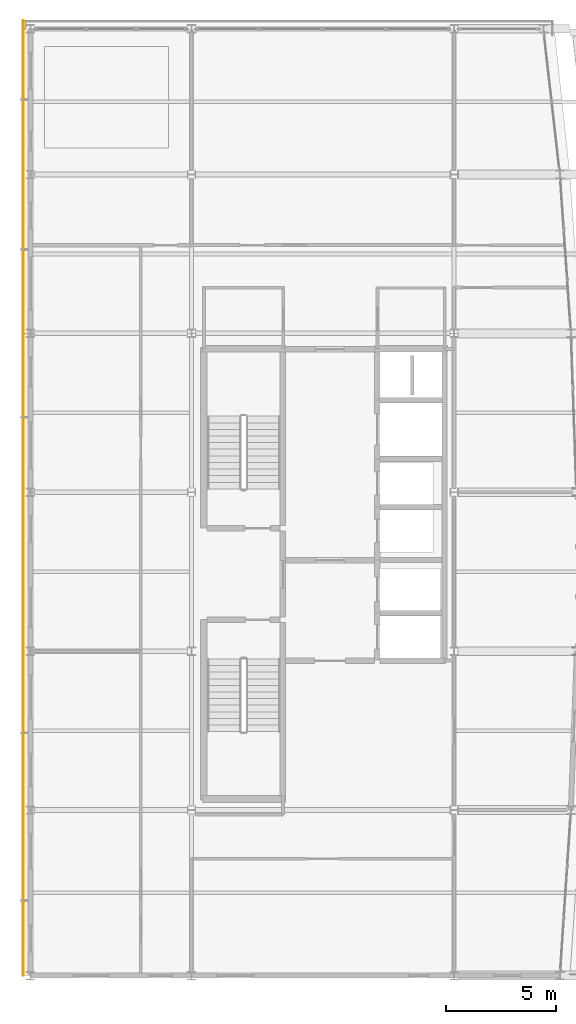
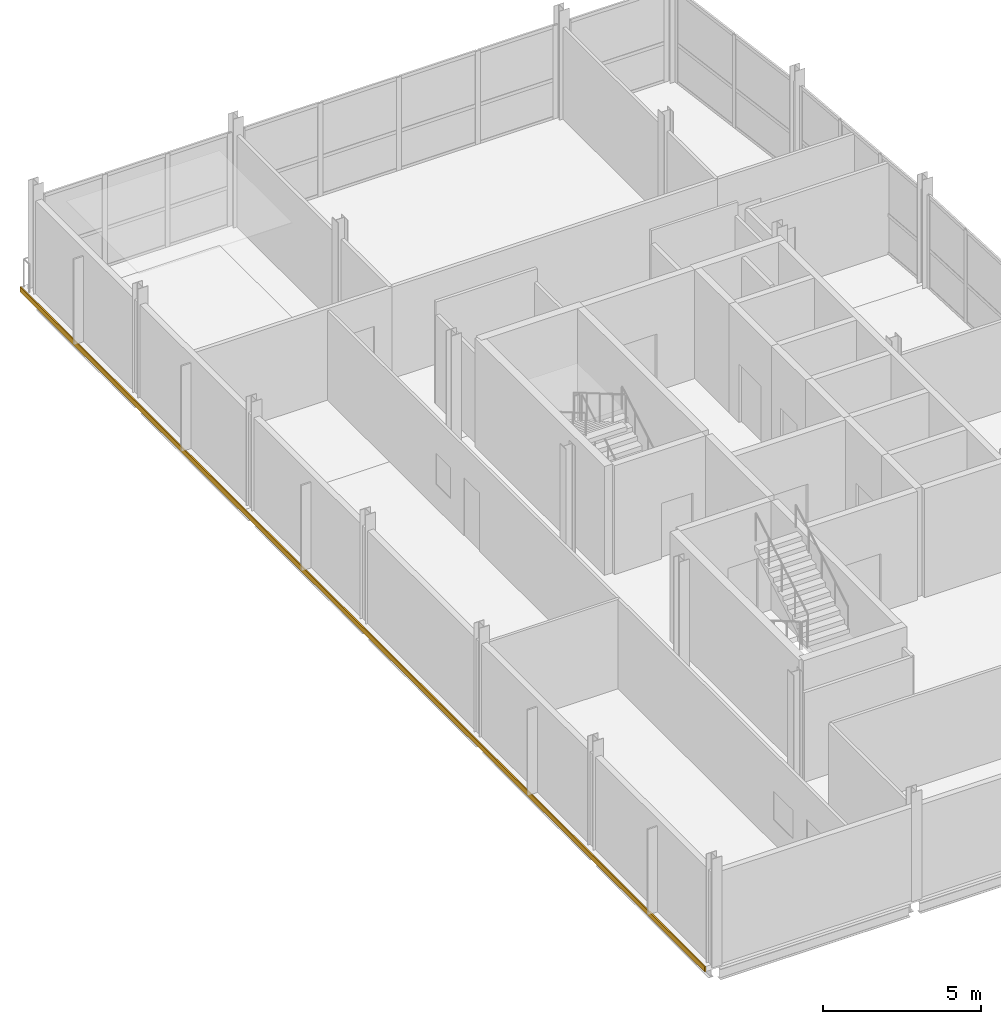
# One storey, part 16 of 17: 1 covering.
"""IFC4 building model written with IfcOpenShell, lengths in metres."""

from ifc_helpers import new_model, si_unit, direction, frame, origin, place, context, subcontext, project, spatial, polyline, outline, extrude, material, layer, layer_set, type_object, element, save


model = new_model("IFC4")

# Units and contexts
model_context = context("Model", 3, precision=1e-05, world=origin(), true_north=direction((0.0, 1.0)))
body_context = subcontext(model_context, "Body", "Model", "MODEL_VIEW")
ifc_project = project(units=[si_unit("LENGTHUNIT", "METRE"), si_unit("AREAUNIT", "SQUARE_METRE"), si_unit("VOLUMEUNIT", "CUBIC_METRE"), si_unit("PLANEANGLEUNIT", "RADIAN"), si_unit("MASSUNIT", "GRAM", prefix="KILO")], contexts=[model_context])

# Site, building, storey
site_placement = place(None, origin())
site = spatial("IfcSite", under=ifc_project, at=site_placement, CompositionType="ELEMENT")
building_placement = place(site_placement, origin())
building = spatial("IfcBuilding", under=site, at=building_placement, Name="Quillay Park Conservatory", CompositionType="ELEMENT")
storey_placement = place(building_placement, frame((0.0, 0.0, 47.699951171875)))
storey = spatial("IfcBuildingStorey", under=building, at=storey_placement, Name="L11", CompositionType="ELEMENT", Elevation=47.699951171875)

# Covering
ifc_material = material(Name="Glass-Fibre Reinforced Concrete (GRC) Cladding", Category="concrete")
ifc_layer = layer(ifc_material, 0.044921875)
ifc_layer_set = layer_set([ifc_layer], Name="GRC SPANDREL CLADDING 45 (Glass-Fibre Reinforced Concrete (GRC) Cladding)")
covering_type = type_object("IfcCoveringType", Name="GRC SPANDREL CLADDING 45", PredefinedType="CLADDING", material=ifc_layer_set)
covering_placement = place(storey_placement, frame((0.0, 0.0, -0.199951171875)))
element("IfcCovering", 1, at=covering_placement, inside=storey, type_object=covering_type, Name="L11 West Folded GRC Spandrel Ribbon", PredefinedType="CLADDING", context=body_context, shape_type="SweptSolid", body=[
    extrude(outline(polyline([(0.205078125, 70.5), (0.25, 70.5), (0.25, 113.800048828125), (0.205078125, 113.800048828125), (0.205078125, 70.5)])), origin(), (0.0, 0.0, 1.0), 0.199951171875),
])

save(model, "model.ifc")
